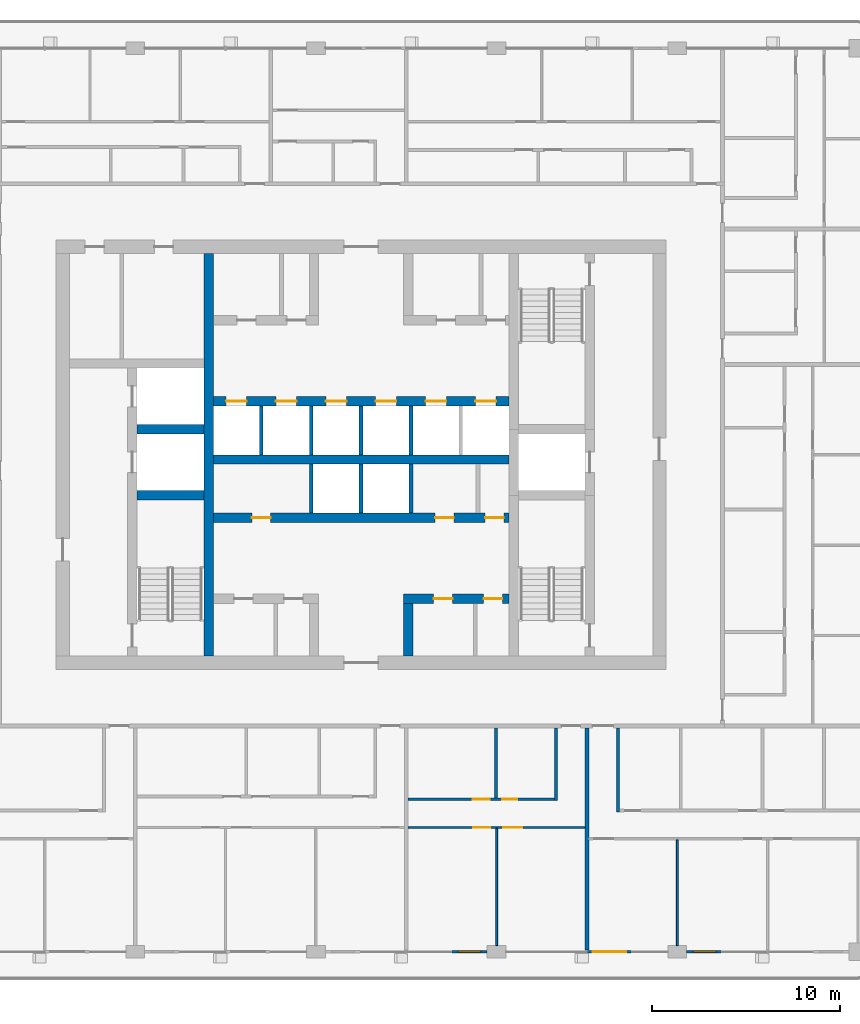
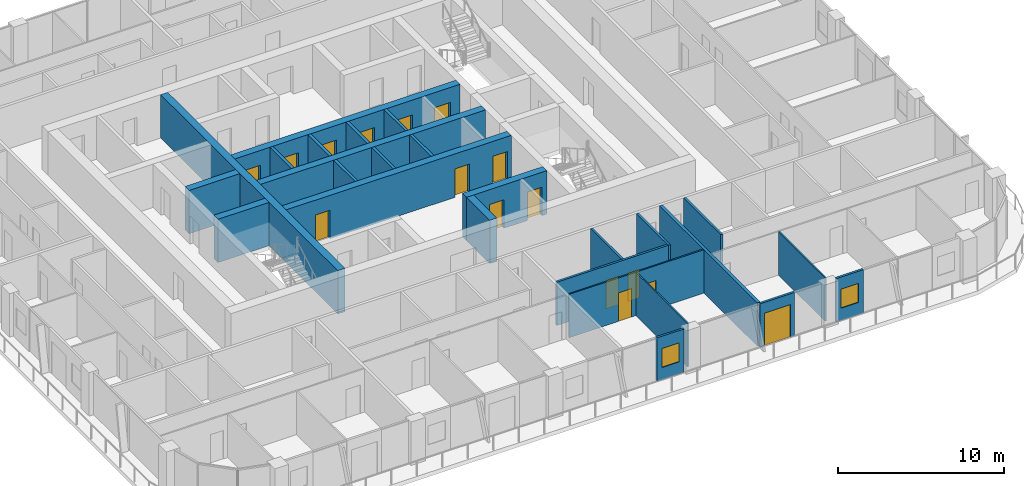
# One storey, part 11 of 22: 26 walls, 16 doors, 2 windows, 18 openings.
"""IFC4 building model written with IfcOpenShell, lengths in metres."""

from ifc_helpers import new_model, si_unit, direction, frame, frame_2d, origin, place, context, subcontext, project, spatial, rectangle, extrude, material, layer, layer_set, type_object, element, fill, save


model = new_model("IFC4")

# Units and contexts
model_context = context("Model", 3, precision=1e-05, world=origin(), true_north=direction((0.0, 1.0)))
body_context = subcontext(model_context, "Body", "Model", "MODEL_VIEW")
ifc_project = project(units=[si_unit("LENGTHUNIT", "METRE"), si_unit("AREAUNIT", "SQUARE_METRE"), si_unit("VOLUMEUNIT", "CUBIC_METRE"), si_unit("PLANEANGLEUNIT", "RADIAN"), si_unit("MASSUNIT", "GRAM", prefix="KILO")], contexts=[model_context])

# Site, building, storey
site_placement = place(None, origin())
site = spatial("IfcSite", under=ifc_project, at=site_placement, CompositionType="ELEMENT")
building_placement = place(site_placement, origin())
building = spatial("IfcBuilding", under=site, at=building_placement, Name="Madar Terraces", CompositionType="ELEMENT")
storey_placement = place(building_placement, frame((0.0, 0.0, 182.39990234375)))
storey = spatial("IfcBuildingStorey", under=building, at=storey_placement, Name="L47", CompositionType="ELEMENT", Elevation=182.39990234375)

# Walls
ifc_material_1 = material(Name="Concrete C60/75", Category="concrete")
ifc_layer_1 = layer(ifc_material_1, 0.5)
ifc_layer_set_1 = layer_set([ifc_layer_1], Name="Concrete C60/75 (CIW4 RC wall 500)")
wall_type_1 = type_object("IfcWallType", Name="CIW4 RC wall 500", PredefinedType="SHEAR", material=ifc_layer_set_1)
wall_1_placement = place(storey_placement, frame((23.10009765625, 15.699951171875, 0.0), z_axis=(0.0, 0.0, 1.0), x_axis=(0.0, 1.0, 0.0)))
element("IfcWall", 1, at=wall_1_placement, inside=storey, type_object=wall_type_1, Name="CORE SHAFT WALL", PredefinedType="SHEAR", context=body_context, shape_type="SweptSolid", body=[
    extrude(rectangle(XDim=21.400146484375, YDim=0.5, at=frame_2d((10.7001953125, 0.0))), origin(), (0.0, 0.0, 1.0), 3.2001953125),
])
for number, where, z_axis, x_axis, name in (
    (2, (19.300048828125, 24.25, 0.0), (0.0, 0.0, 1.0), (1.0, 0.0, 0.0), "CORE SHAFT WALL"),
    (3, (19.300048828125, 27.75, 0.0), (0.0, 0.0, 1.0), (1.0, 0.0, 0.0), "CORE SHAFT WALL"),
):
    element("IfcWall", number, at=place(storey_placement, frame(where, z_axis=z_axis, x_axis=x_axis)), inside=storey, type_object=wall_type_1, Name=name, PredefinedType="SHEAR", context=body_context, shape_type="SweptSolid", body=[
        extrude(rectangle(XDim=3.550048828125, YDim=0.5, at=frame_2d((1.77490234375, 0.0))), origin(), (0.0, 0.0, 1.0), 3.2001953125),
    ])

# Wall, openings, doors
wall_2_placement = place(storey_placement, frame((33.449951171875, 18.75, 0.0), z_axis=(0.0, 0.0, 1.0), x_axis=(1.0, 0.0, 0.0)))
wall_2 = element("IfcWall", 4, at=wall_2_placement, inside=storey, type_object=wall_type_1, Name="CORE SHAFT WALL", PredefinedType="SHEAR", context=body_context, shape_type="SweptSolid", body=[
    extrude(rectangle(XDim=5.60009765625, YDim=0.5, at=frame_2d((2.800048828125, 0.0))), origin(), (0.0, 0.0, 1.0), 3.2001953125),
])
opening_1_placement = place(wall_2_placement, frame((1.607421875, 0.0, 0.0)))
opening_1 = element("IfcOpeningElement", 5, at=opening_1_placement, cuts=wall_2, Name="Opening KD2", PredefinedType="OPENING", context=body_context, shape_type="SweptSolid", body=[
    extrude(rectangle(XDim=1.0, YDim=2.10009765625, at=frame_2d((0.5, 1.050048828125))), frame((0.0, 0.260009765625, 0.0), z_axis=(0.0, -1.0, 0.0), x_axis=(1.0, 0.0, 0.0)), (0.0, 0.0, 1.0), 0.52001953125),
])
opening_2_placement = place(wall_2_placement, frame((4.257568359375, 0.0, 0.0)))
opening_2 = element("IfcOpeningElement", 6, at=opening_2_placement, cuts=wall_2, Name="Opening KD2", PredefinedType="OPENING", context=body_context, shape_type="SweptSolid", body=[
    extrude(rectangle(XDim=1.0, YDim=2.10009765625, at=frame_2d((0.5, 1.050048828125))), frame((0.0, 0.260009765625, 0.0), z_axis=(0.0, -1.0, 0.0), x_axis=(1.0, 0.0, 0.0)), (0.0, 0.0, 1.0), 0.52001953125),
])
ifc_material_2 = material(Name="Steel door leaf", Category="steel")
door_type_1 = type_object("IfcDoorType", Name="Service room door 1000 x 2100", OperationType="NOTDEFINED", PredefinedType="DOOR", material=ifc_material_2)
door_1_placement = place(opening_1_placement, origin())
door_1 = element("IfcDoor", 7, at=door_1_placement, inside=storey, type_object=door_type_1, Name="SERVICE ROOM DOOR", OperationType="SINGLE_SWING_LEFT", OverallHeight=2.10009765625, OverallWidth=1.0, PredefinedType="DOOR", context=body_context, shape_type="SweptSolid", body=[
    extrude(rectangle(XDim=1.0, YDim=2.10009765625, at=frame_2d((0.5, 1.050048828125))), frame((0.0, 0.02490234375, 0.0), z_axis=(0.0, -1.0, 0.0), x_axis=(1.0, 0.0, 0.0)), (0.0, 0.0, 1.0), 0.050048828125),
])
fill(opening_1, door_1)
door_2_placement = place(opening_2_placement, origin())
door_2 = element("IfcDoor", 8, at=door_2_placement, inside=storey, type_object=door_type_1, Name="SERVICE ROOM DOOR", OperationType="SINGLE_SWING_RIGHT", OverallHeight=2.10009765625, OverallWidth=1.0, PredefinedType="DOOR", context=body_context, shape_type="SweptSolid", body=[
    extrude(rectangle(XDim=1.0, YDim=2.10009765625, at=frame_2d((0.5, 1.050048828125))), frame((0.0, 0.02490234375, 0.0), z_axis=(0.0, -1.0, 0.0), x_axis=(1.0, 0.0, 0.0)), (0.0, 0.0, 1.0), 0.050048828125),
])
fill(opening_2, door_2)

wall_3_placement = place(storey_placement, frame((23.35009765625, 23.050048828125, 0.0), z_axis=(0.0, 0.0, 1.0), x_axis=(1.0, 0.0, 0.0)))
wall_3 = element("IfcWall", 9, at=wall_3_placement, inside=storey, type_object=wall_type_1, Name="CORE SHAFT WALL", PredefinedType="SHEAR", context=body_context, shape_type="SweptSolid", body=[
    extrude(rectangle(XDim=15.699951171875, YDim=0.5, at=frame_2d((7.85009765625, 0.0))), origin(), (0.0, 0.0, 1.0), 3.2001953125),
])
opening_3_placement = place(wall_3_placement, frame((2.050048828125, 0.0, 0.0)))
opening_3 = element("IfcOpeningElement", 10, at=opening_3_placement, cuts=wall_3, Name="Opening KD2", PredefinedType="OPENING", context=body_context, shape_type="SweptSolid", body=[
    extrude(rectangle(XDim=1.0, YDim=2.10009765625, at=frame_2d((0.5, 1.050048828125))), frame((0.0, 0.260009765625, 0.0), z_axis=(0.0, -1.0, 0.0), x_axis=(1.0, 0.0, 0.0)), (0.0, 0.0, 1.0), 0.52001953125),
])
opening_4_placement = place(wall_3_placement, frame((11.783935546875, 0.0, 0.0)))
opening_4 = element("IfcOpeningElement", 11, at=opening_4_placement, cuts=wall_3, Name="Opening KD2", PredefinedType="OPENING", context=body_context, shape_type="SweptSolid", body=[
    extrude(rectangle(XDim=1.0, YDim=2.10009765625, at=frame_2d((0.5, 1.050048828125))), frame((0.0, 0.260009765625, 0.0), z_axis=(0.0, -1.0, 0.0), x_axis=(1.0, 0.0, 0.0)), (0.0, 0.0, 1.0), 0.52001953125),
])
opening_5_placement = place(wall_3_placement, frame((14.43408203125, 0.0, 0.0)))
opening_5 = element("IfcOpeningElement", 12, at=opening_5_placement, cuts=wall_3, Name="Opening KD2", PredefinedType="OPENING", context=body_context, shape_type="SweptSolid", body=[
    extrude(rectangle(XDim=1.0, YDim=2.10009765625, at=frame_2d((0.5, 1.050048828125))), frame((0.0, 0.260009765625, 0.0), z_axis=(0.0, -1.0, 0.0), x_axis=(1.0, 0.0, 0.0)), (0.0, 0.0, 1.0), 0.52001953125),
])
door_3_placement = place(opening_3_placement, frame((1.0, 0.0, 0.0), z_axis=(0.0, 0.0, 1.0), x_axis=(-1.0, 0.0, 0.0)))
door_3 = element("IfcDoor", 13, at=door_3_placement, inside=storey, type_object=door_type_1, Name="SERVICE ROOM DOOR", OperationType="SINGLE_SWING_RIGHT", OverallHeight=2.10009765625, OverallWidth=1.0, PredefinedType="DOOR", context=body_context, shape_type="SweptSolid", body=[
    extrude(rectangle(XDim=1.0, YDim=2.10009765625, at=frame_2d((0.5, 1.050048828125))), frame((0.0, 0.02490234375, 0.0), z_axis=(0.0, -1.0, 0.0), x_axis=(1.0, 0.0, 0.0)), (0.0, 0.0, 1.0), 0.050048828125),
])
fill(opening_3, door_3)
door_4_placement = place(opening_4_placement, frame((1.0, 0.0, 0.0), z_axis=(0.0, 0.0, 1.0), x_axis=(-1.0, 0.0, 0.0)))
door_4 = element("IfcDoor", 14, at=door_4_placement, inside=storey, type_object=door_type_1, Name="SERVICE ROOM DOOR", OperationType="SINGLE_SWING_LEFT", OverallHeight=2.10009765625, OverallWidth=1.0, PredefinedType="DOOR", context=body_context, shape_type="SweptSolid", body=[
    extrude(rectangle(XDim=1.0, YDim=2.10009765625, at=frame_2d((0.5, 1.050048828125))), frame((0.0, 0.02490234375, 0.0), z_axis=(0.0, -1.0, 0.0), x_axis=(1.0, 0.0, 0.0)), (0.0, 0.0, 1.0), 0.050048828125),
])
fill(opening_4, door_4)
door_5_placement = place(opening_5_placement, frame((1.0, 0.0, 0.0), z_axis=(0.0, 0.0, 1.0), x_axis=(-1.0, 0.0, 0.0)))
door_5 = element("IfcDoor", 15, at=door_5_placement, inside=storey, type_object=door_type_1, Name="SERVICE ROOM DOOR", OperationType="SINGLE_SWING_RIGHT", OverallHeight=2.10009765625, OverallWidth=1.0, PredefinedType="DOOR", context=body_context, shape_type="SweptSolid", body=[
    extrude(rectangle(XDim=1.0, YDim=2.10009765625, at=frame_2d((0.5, 1.050048828125))), frame((0.0, 0.02490234375, 0.0), z_axis=(0.0, -1.0, 0.0), x_axis=(1.0, 0.0, 0.0)), (0.0, 0.0, 1.0), 0.050048828125),
])
fill(opening_5, door_5)

# Wall
wall_4_placement = place(storey_placement, frame((23.35009765625, 26.14990234375, 0.0), z_axis=(0.0, 0.0, 1.0), x_axis=(1.0, 0.0, 0.0)))
element("IfcWall", 16, at=wall_4_placement, inside=storey, type_object=wall_type_1, Name="CORE SHAFT WALL", PredefinedType="SHEAR", context=body_context, shape_type="SweptSolid", body=[
    extrude(rectangle(XDim=15.699951171875, YDim=0.5, at=frame_2d((7.85009765625, 0.0))), origin(), (0.0, 0.0, 1.0), 3.2001953125),
])

# Wall, openings, doors
wall_5_placement = place(storey_placement, frame((23.35009765625, 29.25, 0.0), z_axis=(0.0, 0.0, 1.0), x_axis=(1.0, 0.0, 0.0)))
wall_5 = element("IfcWall", 17, at=wall_5_placement, inside=storey, type_object=wall_type_1, Name="CORE SHAFT WALL", PredefinedType="SHEAR", context=body_context, shape_type="SweptSolid", body=[
    extrude(rectangle(XDim=15.699951171875, YDim=0.5, at=frame_2d((7.85009765625, 0.0))), origin(), (0.0, 0.0, 1.0), 3.2001953125),
])
opening_6_placement = place(wall_5_placement, frame((0.675048828125, 0.0, 0.0)))
opening_6 = element("IfcOpeningElement", 18, at=opening_6_placement, cuts=wall_5, Name="Opening LD", PredefinedType="OPENING", context=body_context, shape_type="SweptSolid", body=[
    extrude(rectangle(XDim=1.10009765625, YDim=2.10009765625, at=frame_2d((0.550048828125, 1.050048828125))), frame((0.0, 0.260009765625, 0.0), z_axis=(0.0, -1.0, 0.0), x_axis=(1.0, 0.0, 0.0)), (0.0, 0.0, 1.0), 0.52001953125),
])
opening_7_placement = place(wall_5_placement, frame((3.324951171875, 0.0, 0.0)))
opening_7 = element("IfcOpeningElement", 19, at=opening_7_placement, cuts=wall_5, Name="Opening LD", PredefinedType="OPENING", context=body_context, shape_type="SweptSolid", body=[
    extrude(rectangle(XDim=1.10009765625, YDim=2.10009765625, at=frame_2d((0.550048828125, 1.050048828125))), frame((0.0, 0.260009765625, 0.0), z_axis=(0.0, -1.0, 0.0), x_axis=(1.0, 0.0, 0.0)), (0.0, 0.0, 1.0), 0.52001953125),
])
opening_8_placement = place(wall_5_placement, frame((5.97509765625, 0.0, 0.0)))
opening_8 = element("IfcOpeningElement", 20, at=opening_8_placement, cuts=wall_5, Name="Opening LD", PredefinedType="OPENING", context=body_context, shape_type="SweptSolid", body=[
    extrude(rectangle(XDim=1.10009765625, YDim=2.10009765625, at=frame_2d((0.550048828125, 1.050048828125))), frame((0.0, 0.260009765625, 0.0), z_axis=(0.0, -1.0, 0.0), x_axis=(1.0, 0.0, 0.0)), (0.0, 0.0, 1.0), 0.52001953125),
])
opening_9_placement = place(wall_5_placement, frame((8.625, 0.0, 0.0)))
opening_9 = element("IfcOpeningElement", 21, at=opening_9_placement, cuts=wall_5, Name="Opening LD", PredefinedType="OPENING", context=body_context, shape_type="SweptSolid", body=[
    extrude(rectangle(XDim=1.10009765625, YDim=2.10009765625, at=frame_2d((0.550048828125, 1.050048828125))), frame((0.0, 0.260009765625, 0.0), z_axis=(0.0, -1.0, 0.0), x_axis=(1.0, 0.0, 0.0)), (0.0, 0.0, 1.0), 0.52001953125),
])
opening_10_placement = place(wall_5_placement, frame((11.27490234375, 0.0, 0.0)))
opening_10 = element("IfcOpeningElement", 22, at=opening_10_placement, cuts=wall_5, Name="Opening LD", PredefinedType="OPENING", context=body_context, shape_type="SweptSolid", body=[
    extrude(rectangle(XDim=1.10009765625, YDim=2.10009765625, at=frame_2d((0.550048828125, 1.050048828125))), frame((0.0, 0.260009765625, 0.0), z_axis=(0.0, -1.0, 0.0), x_axis=(1.0, 0.0, 0.0)), (0.0, 0.0, 1.0), 0.52001953125),
])
opening_11_placement = place(wall_5_placement, frame((13.925048828125, 0.0, 0.0)))
opening_11 = element("IfcOpeningElement", 23, at=opening_11_placement, cuts=wall_5, Name="Opening LD", PredefinedType="OPENING", context=body_context, shape_type="SweptSolid", body=[
    extrude(rectangle(XDim=1.10009765625, YDim=2.10009765625, at=frame_2d((0.550048828125, 1.050048828125))), frame((0.0, 0.260009765625, 0.0), z_axis=(0.0, -1.0, 0.0), x_axis=(1.0, 0.0, 0.0)), (0.0, 0.0, 1.0), 0.52001953125),
])
ifc_material_3 = material(Name="Stainless steel panel", Category="steel")
door_type_2 = type_object("IfcDoorType", Name="Lift landing door 1100 x 2100", OperationType="DOUBLE_DOOR_SLIDING", PredefinedType="DOOR", material=ifc_material_3)
door_6_placement = place(opening_6_placement, origin())
door_6 = element("IfcDoor", 24, at=door_6_placement, inside=storey, type_object=door_type_2, Name="LIFT LANDING DOOR", OperationType="DOUBLE_DOOR_SLIDING", OverallHeight=2.10009765625, OverallWidth=1.10009765625, PredefinedType="DOOR", context=body_context, shape_type="SweptSolid", body=[
    extrude(rectangle(XDim=1.10009765625, YDim=2.10009765625, at=frame_2d((0.550048828125, 1.050048828125))), frame((0.0, 0.02490234375, 0.0), z_axis=(0.0, -1.0, 0.0), x_axis=(1.0, 0.0, 0.0)), (0.0, 0.0, 1.0), 0.050048828125),
])
fill(opening_6, door_6)
door_7_placement = place(opening_7_placement, origin())
door_7 = element("IfcDoor", 25, at=door_7_placement, inside=storey, type_object=door_type_2, Name="LIFT LANDING DOOR", OperationType="DOUBLE_DOOR_SLIDING", OverallHeight=2.10009765625, OverallWidth=1.10009765625, PredefinedType="DOOR", context=body_context, shape_type="SweptSolid", body=[
    extrude(rectangle(XDim=1.10009765625, YDim=2.10009765625, at=frame_2d((0.550048828125, 1.050048828125))), frame((0.0, 0.02490234375, 0.0), z_axis=(0.0, -1.0, 0.0), x_axis=(1.0, 0.0, 0.0)), (0.0, 0.0, 1.0), 0.050048828125),
])
fill(opening_7, door_7)
door_8_placement = place(opening_8_placement, origin())
door_8 = element("IfcDoor", 26, at=door_8_placement, inside=storey, type_object=door_type_2, Name="LIFT LANDING DOOR", OperationType="DOUBLE_DOOR_SLIDING", OverallHeight=2.10009765625, OverallWidth=1.10009765625, PredefinedType="DOOR", context=body_context, shape_type="SweptSolid", body=[
    extrude(rectangle(XDim=1.10009765625, YDim=2.10009765625, at=frame_2d((0.550048828125, 1.050048828125))), frame((0.0, 0.02490234375, 0.0), z_axis=(0.0, -1.0, 0.0), x_axis=(1.0, 0.0, 0.0)), (0.0, 0.0, 1.0), 0.050048828125),
])
fill(opening_8, door_8)
door_9_placement = place(opening_9_placement, origin())
door_9 = element("IfcDoor", 27, at=door_9_placement, inside=storey, type_object=door_type_2, Name="LIFT LANDING DOOR", OperationType="DOUBLE_DOOR_SLIDING", OverallHeight=2.10009765625, OverallWidth=1.10009765625, PredefinedType="DOOR", context=body_context, shape_type="SweptSolid", body=[
    extrude(rectangle(XDim=1.10009765625, YDim=2.10009765625, at=frame_2d((0.550048828125, 1.050048828125))), frame((0.0, 0.02490234375, 0.0), z_axis=(0.0, -1.0, 0.0), x_axis=(1.0, 0.0, 0.0)), (0.0, 0.0, 1.0), 0.050048828125),
])
fill(opening_9, door_9)
door_10_placement = place(opening_10_placement, origin())
door_10 = element("IfcDoor", 28, at=door_10_placement, inside=storey, type_object=door_type_2, Name="LIFT LANDING DOOR", OperationType="DOUBLE_DOOR_SLIDING", OverallHeight=2.10009765625, OverallWidth=1.10009765625, PredefinedType="DOOR", context=body_context, shape_type="SweptSolid", body=[
    extrude(rectangle(XDim=1.10009765625, YDim=2.10009765625, at=frame_2d((0.550048828125, 1.050048828125))), frame((0.0, 0.02490234375, 0.0), z_axis=(0.0, -1.0, 0.0), x_axis=(1.0, 0.0, 0.0)), (0.0, 0.0, 1.0), 0.050048828125),
])
fill(opening_10, door_10)
door_11_placement = place(opening_11_placement, origin())
door_11 = element("IfcDoor", 29, at=door_11_placement, inside=storey, type_object=door_type_2, Name="LIFT LANDING DOOR", OperationType="DOUBLE_DOOR_SLIDING", OverallHeight=2.10009765625, OverallWidth=1.10009765625, PredefinedType="DOOR", context=body_context, shape_type="SweptSolid", body=[
    extrude(rectangle(XDim=1.10009765625, YDim=2.10009765625, at=frame_2d((0.550048828125, 1.050048828125))), frame((0.0, 0.02490234375, 0.0), z_axis=(0.0, -1.0, 0.0), x_axis=(1.0, 0.0, 0.0)), (0.0, 0.0, 1.0), 0.050048828125),
])
fill(opening_11, door_11)

# Walls
wall_6_placement = place(storey_placement, frame((33.699951171875, 15.699951171875, 0.0), z_axis=(0.0, 0.0, 1.0), x_axis=(0.0, 1.0, 0.0)))
element("IfcWall", 30, at=wall_6_placement, inside=storey, type_object=wall_type_1, Name="CORE SHAFT WALL", PredefinedType="SHEAR", context=body_context, shape_type="SweptSolid", body=[
    extrude(rectangle(XDim=2.800048828125, YDim=0.5, at=frame_2d((1.39990234375, 0.0))), origin(), (0.0, 0.0, 1.0), 3.2001953125),
])
ifc_material_4 = material(Name="Concrete C40/50", Category="concrete")
ifc_layer_2 = layer(ifc_material_4, 0.199951171875)
ifc_layer_set_2 = layer_set([ifc_layer_2], Name="Core shaft dividing wall 200 C40/50")
wall_type_2 = type_object("IfcWallType", Name="Core shaft dividing wall 200 C40/50", PredefinedType="SOLIDWALL", material=ifc_layer_set_2)
wall_7_placement = place(storey_placement, frame((25.89990234375, 26.39990234375, 0.0), z_axis=(0.0, 0.0, 1.0), x_axis=(0.0, 1.0, 0.0)))
element("IfcWall", 31, at=wall_7_placement, inside=storey, type_object=wall_type_2, Name="SHAFT DIVIDING WALL", PredefinedType="SOLIDWALL", context=body_context, shape_type="SweptSolid", body=[
    extrude(rectangle(XDim=2.60009765625, YDim=0.199951171875, at=frame_2d((1.300048828125, 0.0))), origin(), (0.0, 0.0, 1.0), 3.2001953125),
])
wall_8_placement = place(storey_placement, frame((28.550048828125, 23.300048828125, 0.0), z_axis=(0.0, 0.0, 1.0), x_axis=(0.0, 1.0, 0.0)))
element("IfcWall", 32, at=wall_8_placement, inside=storey, type_object=wall_type_2, Name="SHAFT DIVIDING WALL", PredefinedType="SOLIDWALL", context=body_context, shape_type="SweptSolid", body=[
    extrude(rectangle(XDim=2.599853515625, YDim=0.199951171875, at=frame_2d((1.2998046875, 0.0))), origin(), (0.0, 0.0, 1.0), 3.2001953125),
])
wall_9_placement = place(storey_placement, frame((28.550048828125, 26.39990234375, 0.0), z_axis=(0.0, 0.0, 1.0), x_axis=(0.0, 1.0, 0.0)))
element("IfcWall", 33, at=wall_9_placement, inside=storey, type_object=wall_type_2, Name="SHAFT DIVIDING WALL", PredefinedType="SOLIDWALL", context=body_context, shape_type="SweptSolid", body=[
    extrude(rectangle(XDim=2.60009765625, YDim=0.199951171875, at=frame_2d((1.300048828125, 0.0))), origin(), (0.0, 0.0, 1.0), 3.2001953125),
])
wall_10_placement = place(storey_placement, frame((31.199951171875, 23.300048828125, 0.0), z_axis=(0.0, 0.0, 1.0), x_axis=(0.0, 1.0, 0.0)))
element("IfcWall", 34, at=wall_10_placement, inside=storey, type_object=wall_type_2, Name="SHAFT DIVIDING WALL", PredefinedType="SOLIDWALL", context=body_context, shape_type="SweptSolid", body=[
    extrude(rectangle(XDim=2.599853515625, YDim=0.199951171875, at=frame_2d((1.2998046875, 0.0))), origin(), (0.0, 0.0, 1.0), 3.2001953125),
])
wall_11_placement = place(storey_placement, frame((31.199951171875, 26.39990234375, 0.0), z_axis=(0.0, 0.0, 1.0), x_axis=(0.0, 1.0, 0.0)))
element("IfcWall", 35, at=wall_11_placement, inside=storey, type_object=wall_type_2, Name="SHAFT DIVIDING WALL", PredefinedType="SOLIDWALL", context=body_context, shape_type="SweptSolid", body=[
    extrude(rectangle(XDim=2.60009765625, YDim=0.199951171875, at=frame_2d((1.300048828125, 0.0))), origin(), (0.0, 0.0, 1.0), 3.2001953125),
])
wall_12_placement = place(storey_placement, frame((33.85009765625, 23.300048828125, 0.0), z_axis=(0.0, 0.0, 1.0), x_axis=(0.0, 1.0, 0.0)))
element("IfcWall", 36, at=wall_12_placement, inside=storey, type_object=wall_type_2, Name="SHAFT DIVIDING WALL", PredefinedType="SOLIDWALL", context=body_context, shape_type="SweptSolid", body=[
    extrude(rectangle(XDim=2.599853515625, YDim=0.199951171875, at=frame_2d((1.2998046875, 0.0))), origin(), (0.0, 0.0, 1.0), 3.2001953125),
])
wall_13_placement = place(storey_placement, frame((33.85009765625, 26.39990234375, 0.0), z_axis=(0.0, 0.0, 1.0), x_axis=(0.0, 1.0, 0.0)))
element("IfcWall", 37, at=wall_13_placement, inside=storey, type_object=wall_type_2, Name="SHAFT DIVIDING WALL", PredefinedType="SOLIDWALL", context=body_context, shape_type="SweptSolid", body=[
    extrude(rectangle(XDim=2.60009765625, YDim=0.199951171875, at=frame_2d((1.300048828125, 0.0))), origin(), (0.0, 0.0, 1.0), 3.2001953125),
])

# Wall, opening, window
ifc_material_5 = material(Name="Aluminium composite panel, black, over insulated backing", Category="aluminium")
ifc_layer_3 = layer(ifc_material_5, 0.14990234375)
ifc_layer_set_3 = layer_set([ifc_layer_3], Name="Facade bay panel 150")
wall_type_3 = type_object("IfcWallType", Name="Facade bay panel 150", PredefinedType="SOLIDWALL", material=ifc_layer_set_3)
wall_14_placement = place(storey_placement, frame((36.0, 0.0, 0.0), z_axis=(0.0, 0.0, 1.0), x_axis=(1.0, 0.0, 0.0)))
wall_14 = element("IfcWall", 38, at=wall_14_placement, inside=storey, type_object=wall_type_3, Name="Facade bay panel", PredefinedType="SOLIDWALL", context=body_context, shape_type="SweptSolid", body=[
    extrude(rectangle(XDim=1.89990234375, YDim=0.14990234375, at=frame_2d((0.949951171875, 0.0))), origin(), (0.0, 0.0, 1.0), 3.2001953125),
])
opening_12_placement = place(wall_14_placement, frame((0.35009765625, 0.0, 0.89990234375)))
opening_12 = element("IfcOpeningElement", 39, at=opening_12_placement, cuts=wall_14, Name="Opening W1", PredefinedType="OPENING", context=body_context, shape_type="SweptSolid", body=[
    extrude(rectangle(XDim=1.199951171875, YDim=1.39990234375, at=frame_2d((0.60009765625, 0.699951171875))), frame((0.0, 0.0849609375, 0.0), z_axis=(0.0, -1.0, 0.0), x_axis=(1.0, 0.0, 0.0)), (0.0, 0.0, 1.0), 0.169921875),
])
ifc_material_6 = material(Name="Glass, clear, with black aluminium frame", Category="aluminium")
window_type = type_object("IfcWindowType", Name="Vent window 1200 x 1400", PartitioningType="SINGLE_PANEL", PredefinedType="WINDOW", material=ifc_material_6)
window_1_placement = place(opening_12_placement, origin())
window_1 = element("IfcWindow", 40, at=window_1_placement, inside=storey, type_object=window_type, Name="Operable vent window", OverallHeight=1.39990234375, OverallWidth=1.199951171875, PartitioningType="SINGLE_PANEL", PredefinedType="WINDOW", context=body_context, shape_type="SweptSolid", body=[
    extrude(rectangle(XDim=1.199951171875, YDim=1.39990234375, at=frame_2d((0.60009765625, 0.699951171875))), frame((0.0, 0.030029296875, 0.0), z_axis=(0.0, -1.0, 0.0), x_axis=(1.0, 0.0, 0.0)), (0.0, 0.0, 1.0), 0.06005859375),
])
fill(opening_12, window_1)

# Wall, opening, door
wall_15_placement = place(storey_placement, frame((43.199951171875, 0.0, 0.0), z_axis=(0.0, 0.0, 1.0), x_axis=(1.0, 0.0, 0.0)))
wall_15 = element("IfcWall", 41, at=wall_15_placement, inside=storey, type_object=wall_type_3, Name="Facade bay panel", PredefinedType="SOLIDWALL", context=body_context, shape_type="SweptSolid", body=[
    extrude(rectangle(XDim=2.400146484375, YDim=0.14990234375, at=frame_2d((1.2001953125, 0.0))), origin(), (0.0, 0.0, 1.0), 3.2001953125),
])
opening_13_placement = place(wall_15_placement, frame((0.300048828125, 0.0, 0.0)))
opening_13 = element("IfcOpeningElement", 42, at=opening_13_placement, cuts=wall_15, Name="Opening ED1", PredefinedType="OPENING", context=body_context, shape_type="SweptSolid", body=[
    extrude(rectangle(XDim=1.800048828125, YDim=2.39990234375, at=frame_2d((0.89990234375, 1.199951171875))), frame((0.0, 0.0849609375, 0.0), z_axis=(0.0, -1.0, 0.0), x_axis=(1.0, 0.0, 0.0)), (0.0, 0.0, 1.0), 0.169921875),
])
ifc_material_7 = material(Name="Glass, clear, with black aluminium frame", Category="aluminium")
door_type_3 = type_object("IfcDoorType", Name="Balcony and terrace sliding door 1800 x 2400", OperationType="SLIDING_TO_LEFT", PredefinedType="DOOR", material=ifc_material_7)
door_12_placement = place(opening_13_placement, origin())
door_12 = element("IfcDoor", 43, at=door_12_placement, inside=storey, type_object=door_type_3, Name="Balcony door", OperationType="SLIDING_TO_LEFT", OverallHeight=2.39990234375, OverallWidth=1.800048828125, PredefinedType="DOOR", context=body_context, shape_type="SweptSolid", body=[
    extrude(rectangle(XDim=1.800048828125, YDim=2.39990234375, at=frame_2d((0.89990234375, 1.199951171875))), frame((0.0, 0.02490234375, 0.0), z_axis=(0.0, -1.0, 0.0), x_axis=(1.0, 0.0, 0.0)), (0.0, 0.0, 1.0), 0.050048828125),
])
fill(opening_13, door_12)

# Wall, opening, window
wall_16_placement = place(storey_placement, frame((48.5, 0.0, 0.0), z_axis=(0.0, 0.0, 1.0), x_axis=(1.0, 0.0, 0.0)))
wall_16 = element("IfcWall", 44, at=wall_16_placement, inside=storey, type_object=wall_type_3, Name="Facade bay panel", PredefinedType="SOLIDWALL", context=body_context, shape_type="SweptSolid", body=[
    extrude(rectangle(XDim=1.89990234375, YDim=0.14990234375, at=frame_2d((0.949951171875, 0.0))), origin(), (0.0, 0.0, 1.0), 3.2001953125),
])
opening_14_placement = place(wall_16_placement, frame((0.35009765625, 0.0, 0.89990234375)))
opening_14 = element("IfcOpeningElement", 45, at=opening_14_placement, cuts=wall_16, Name="Opening W1", PredefinedType="OPENING", context=body_context, shape_type="SweptSolid", body=[
    extrude(rectangle(XDim=1.199951171875, YDim=1.39990234375, at=frame_2d((0.60009765625, 0.699951171875))), frame((0.0, 0.0849609375, 0.0), z_axis=(0.0, -1.0, 0.0), x_axis=(1.0, 0.0, 0.0)), (0.0, 0.0, 1.0), 0.169921875),
])
window_2_placement = place(opening_14_placement, origin())
window_2 = element("IfcWindow", 46, at=window_2_placement, inside=storey, type_object=window_type, Name="Operable vent window", OverallHeight=1.39990234375, OverallWidth=1.199951171875, PartitioningType="SINGLE_PANEL", PredefinedType="WINDOW", context=body_context, shape_type="SweptSolid", body=[
    extrude(rectangle(XDim=1.199951171875, YDim=1.39990234375, at=frame_2d((0.60009765625, 0.699951171875))), frame((0.0, 0.030029296875, 0.0), z_axis=(0.0, -1.0, 0.0), x_axis=(1.0, 0.0, 0.0)), (0.0, 0.0, 1.0), 0.06005859375),
])
fill(opening_14, window_2)

# Wall
ifc_material_8 = material(Name="Gypsum board on steel studs", Category="steel")
ifc_layer_4 = layer(ifc_material_8, 0.10009765625)
ifc_layer_set_4 = layer_set([ifc_layer_4], Name="Flat partition 100")
wall_type_4 = type_object("IfcWallType", Name="Flat partition 100", PredefinedType="PARTITIONING", material=ifc_layer_set_4)
wall_17_placement = place(storey_placement, frame((38.39990234375, 6.550048828125, 0.0), z_axis=(0.0, 0.0, 1.0), x_axis=(0.0, -1.0, 0.0)))
element("IfcWall", 47, at=wall_17_placement, inside=storey, type_object=wall_type_4, Name="Flat partition 100", PredefinedType="PARTITIONING", context=body_context, shape_type="SweptSolid", body=[
    extrude(rectangle(XDim=6.22509765625, YDim=0.10009765625, at=frame_2d((3.112548828125, 0.0))), origin(), (0.0, 0.0, 1.0), 3.2001953125),
])

# Wall, openings, doors
wall_18_placement = place(storey_placement, frame((43.10009765625, 6.60009765625, 0.0), z_axis=(0.0, 0.0, 1.0), x_axis=(-1.0, 0.0, 0.0)))
wall_18 = element("IfcWall", 48, at=wall_18_placement, inside=storey, type_object=wall_type_4, Name="Flat partition 100", PredefinedType="PARTITIONING", context=body_context, shape_type="SweptSolid", body=[
    extrude(rectangle(XDim=9.400146484375, YDim=0.10009765625, at=frame_2d((4.7001953125, 0.0))), origin(), (0.0, 0.0, 1.0), 3.2001953125),
])
opening_15_placement = place(wall_18_placement, frame((3.35009765625, 0.0, 0.0)))
opening_15 = element("IfcOpeningElement", 49, at=opening_15_placement, cuts=wall_18, Name="Opening D3", PredefinedType="OPENING", context=body_context, shape_type="SweptSolid", body=[
    extrude(rectangle(XDim=1.0, YDim=2.10009765625, at=frame_2d((0.5, 1.050048828125))), frame((0.0, 0.06005859375, 0.0), z_axis=(0.0, -1.0, 0.0), x_axis=(1.0, 0.0, 0.0)), (0.0, 0.0, 1.0), 0.1201171875),
])
opening_16_placement = place(wall_18_placement, frame((5.050048828125, 0.0, 0.0)))
opening_16 = element("IfcOpeningElement", 50, at=opening_16_placement, cuts=wall_18, Name="Opening D2", PredefinedType="OPENING", context=body_context, shape_type="SweptSolid", body=[
    extrude(rectangle(XDim=0.89990234375, YDim=2.10009765625, at=frame_2d((0.449951171875, 1.050048828125))), frame((0.0, 0.06005859375, 0.0), z_axis=(0.0, -1.0, 0.0), x_axis=(1.0, 0.0, 0.0)), (0.0, 0.0, 1.0), 0.1201171875),
])
ifc_material_9 = material(Name="Timber door leaf", Category="wood")
door_type_4 = type_object("IfcDoorType", Name="Flat living room door 1000", OperationType="NOTDEFINED", PredefinedType="DOOR", material=ifc_material_9)
door_13_placement = place(opening_15_placement, origin())
door_13 = element("IfcDoor", 51, at=door_13_placement, inside=storey, type_object=door_type_4, Name="Flat living room door 1000", OperationType="SINGLE_SWING_RIGHT", OverallHeight=2.10009765625, OverallWidth=1.0, PredefinedType="DOOR", context=body_context, shape_type="SweptSolid", body=[
    extrude(rectangle(XDim=1.0, YDim=2.10009765625, at=frame_2d((0.5, 1.050048828125))), frame((0.0, 0.02490234375, 0.0), z_axis=(0.0, -1.0, 0.0), x_axis=(1.0, 0.0, 0.0)), (0.0, 0.0, 1.0), 0.050048828125),
])
fill(opening_15, door_13)
ifc_material_10 = material(Name="Timber door leaf", Category="wood")
door_type_5 = type_object("IfcDoorType", Name="Flat room door 900", OperationType="NOTDEFINED", PredefinedType="DOOR", material=ifc_material_10)
door_14_placement = place(opening_16_placement, origin())
door_14 = element("IfcDoor", 52, at=door_14_placement, inside=storey, type_object=door_type_5, Name="Flat room door 900", OperationType="SINGLE_SWING_LEFT", OverallHeight=2.10009765625, OverallWidth=0.89990234375, PredefinedType="DOOR", context=body_context, shape_type="SweptSolid", body=[
    extrude(rectangle(XDim=0.89990234375, YDim=2.10009765625, at=frame_2d((0.449951171875, 1.050048828125))), frame((0.0, 0.02490234375, 0.0), z_axis=(0.0, -1.0, 0.0), x_axis=(1.0, 0.0, 0.0)), (0.0, 0.0, 1.0), 0.050048828125),
])
fill(opening_16, door_14)

# Walls
wall_19_placement = place(storey_placement, frame((48.0, 5.949951171875, 0.0), z_axis=(0.0, 0.0, 1.0), x_axis=(0.0, -1.0, 0.0)))
element("IfcWall", 53, at=wall_19_placement, inside=storey, type_object=wall_type_4, Name="Flat partition 100", PredefinedType="PARTITIONING", context=body_context, shape_type="SweptSolid", body=[
    extrude(rectangle(XDim=5.625, YDim=0.10009765625, at=frame_2d((2.8125, 0.0))), origin(), (0.0, 0.0, 1.0), 3.2001953125),
])
ifc_material_11 = material(Name="Lightweight blockwork", Category="masonry")
ifc_layer_5 = layer(ifc_material_11, 0.199951171875)
ifc_layer_set_5 = layer_set([ifc_layer_5], Name="Flat party and entrance wall 200")
wall_type_5 = type_object("IfcWallType", Name="Flat party and entrance wall 200", PredefinedType="PARTITIONING", material=ifc_layer_set_5)
wall_20_placement = place(storey_placement, frame((43.199951171875, 11.89990234375, 0.0), z_axis=(0.0, 0.0, 1.0), x_axis=(0.0, -1.0, 0.0)))
element("IfcWall", 54, at=wall_20_placement, inside=storey, type_object=wall_type_5, Name="Flat party and entrance wall 200", PredefinedType="PARTITIONING", context=body_context, shape_type="SweptSolid", body=[
    extrude(rectangle(XDim=11.7998046875, YDim=0.199951171875, at=frame_2d((5.89990234375, 0.0))), origin(), (0.0, 0.0, 1.0), 3.2001953125),
])
ifc_material_12 = material(Name="Lightweight blockwork", Category="masonry")
ifc_layer_6 = layer(ifc_material_12, 0.14990234375)
ifc_layer_set_6 = layer_set([ifc_layer_6], Name="Flat wet-room partition 150")
wall_type_6 = type_object("IfcWallType", Name="Flat wet-room partition 150", PredefinedType="PARTITIONING", material=ifc_layer_set_6)
wall_21_placement = place(storey_placement, frame((38.364990234375, 11.89990234375, 0.0), z_axis=(0.0, 0.0, 1.0), x_axis=(0.0, -1.0, 0.0)))
element("IfcWall", 55, at=wall_21_placement, inside=storey, type_object=wall_type_6, Name="Flat wet-room partition 150", PredefinedType="PARTITIONING", context=body_context, shape_type="SweptSolid", body=[
    extrude(rectangle(XDim=3.724853515625, YDim=0.14990234375, at=frame_2d((1.8623046875, 0.0))), origin(), (0.0, 0.0, 1.0), 3.2001953125),
])
wall_22_placement = place(storey_placement, frame((41.550048828125, 11.89990234375, 0.0), z_axis=(0.0, 0.0, 1.0), x_axis=(0.0, -1.0, 0.0)))
element("IfcWall", 56, at=wall_22_placement, inside=storey, type_object=wall_type_6, Name="Flat wet-room partition 150", PredefinedType="PARTITIONING", context=body_context, shape_type="SweptSolid", body=[
    extrude(rectangle(XDim=3.875, YDim=0.14990234375, at=frame_2d((1.9375, 0.0))), origin(), (0.0, 0.0, 1.0), 3.2001953125),
])

# Wall, openings, doors
wall_23_placement = place(storey_placement, frame((33.699951171875, 8.10009765625, 0.0), z_axis=(0.0, 0.0, 1.0), x_axis=(1.0, 0.0, 0.0)))
wall_23 = element("IfcWall", 57, at=wall_23_placement, inside=storey, type_object=wall_type_6, Name="Flat wet-room partition 150", PredefinedType="PARTITIONING", context=body_context, shape_type="SweptSolid", body=[
    extrude(rectangle(XDim=7.775146484375, YDim=0.14990234375, at=frame_2d((3.8876953125, 0.0))), origin(), (0.0, 0.0, 1.0), 3.2001953125),
])
opening_17_placement = place(wall_23_placement, frame((4.989990234375, 0.0, 0.0)))
opening_17 = element("IfcOpeningElement", 58, at=opening_17_placement, cuts=wall_23, Name="Opening D4", PredefinedType="OPENING", context=body_context, shape_type="SweptSolid", body=[
    extrude(rectangle(XDim=0.800048828125, YDim=2.10009765625, at=frame_2d((0.39990234375, 1.050048828125))), frame((0.0, 0.0849609375, 0.0), z_axis=(0.0, -1.0, 0.0), x_axis=(1.0, 0.0, 0.0)), (0.0, 0.0, 1.0), 0.169921875),
])
opening_18_placement = place(wall_23_placement, frame((3.43994140625, 0.0, 0.0)))
opening_18 = element("IfcOpeningElement", 59, at=opening_18_placement, cuts=wall_23, Name="Opening D2", PredefinedType="OPENING", context=body_context, shape_type="SweptSolid", body=[
    extrude(rectangle(XDim=0.89990234375, YDim=2.10009765625, at=frame_2d((0.449951171875, 1.050048828125))), frame((0.0, 0.0849609375, 0.0), z_axis=(0.0, -1.0, 0.0), x_axis=(1.0, 0.0, 0.0)), (0.0, 0.0, 1.0), 0.169921875),
])
ifc_material_13 = material(Name="Timber door leaf", Category="wood")
door_type_6 = type_object("IfcDoorType", Name="Flat bathroom door 800", OperationType="NOTDEFINED", PredefinedType="DOOR", material=ifc_material_13)
door_15_placement = place(opening_17_placement, origin())
door_15 = element("IfcDoor", 60, at=door_15_placement, inside=storey, type_object=door_type_6, Name="Flat bathroom door 800", OperationType="SINGLE_SWING_LEFT", OverallHeight=2.10009765625, OverallWidth=0.800048828125, PredefinedType="DOOR", context=body_context, shape_type="SweptSolid", body=[
    extrude(rectangle(XDim=0.800048828125, YDim=2.10009765625, at=frame_2d((0.39990234375, 1.050048828125))), frame((0.0, 0.02490234375, 0.0), z_axis=(0.0, -1.0, 0.0), x_axis=(1.0, 0.0, 0.0)), (0.0, 0.0, 1.0), 0.050048828125),
])
fill(opening_17, door_15)
door_16_placement = place(opening_18_placement, origin())
door_16 = element("IfcDoor", 61, at=door_16_placement, inside=storey, type_object=door_type_5, Name="Flat room door 900", OperationType="SINGLE_SWING_RIGHT", OverallHeight=2.10009765625, OverallWidth=0.89990234375, PredefinedType="DOOR", context=body_context, shape_type="SweptSolid", body=[
    extrude(rectangle(XDim=0.89990234375, YDim=2.10009765625, at=frame_2d((0.449951171875, 1.050048828125))), frame((0.0, 0.02490234375, 0.0), z_axis=(0.0, -1.0, 0.0), x_axis=(1.0, 0.0, 0.0)), (0.0, 0.0, 1.0), 0.050048828125),
])
fill(opening_18, door_16)

# Wall
wall_24_placement = place(storey_placement, frame((44.85009765625, 11.89990234375, 0.0), z_axis=(0.0, 0.0, 1.0), x_axis=(0.0, -1.0, 0.0)))
element("IfcWall", 62, at=wall_24_placement, inside=storey, type_object=wall_type_6, Name="Flat wet-room partition 150", PredefinedType="PARTITIONING", context=body_context, shape_type="SweptSolid", body=[
    extrude(rectangle(XDim=4.474853515625, YDim=0.14990234375, at=frame_2d((2.2373046875, 0.0))), origin(), (0.0, 0.0, 1.0), 3.2001953125),
])

save(model, "model.ifc")
